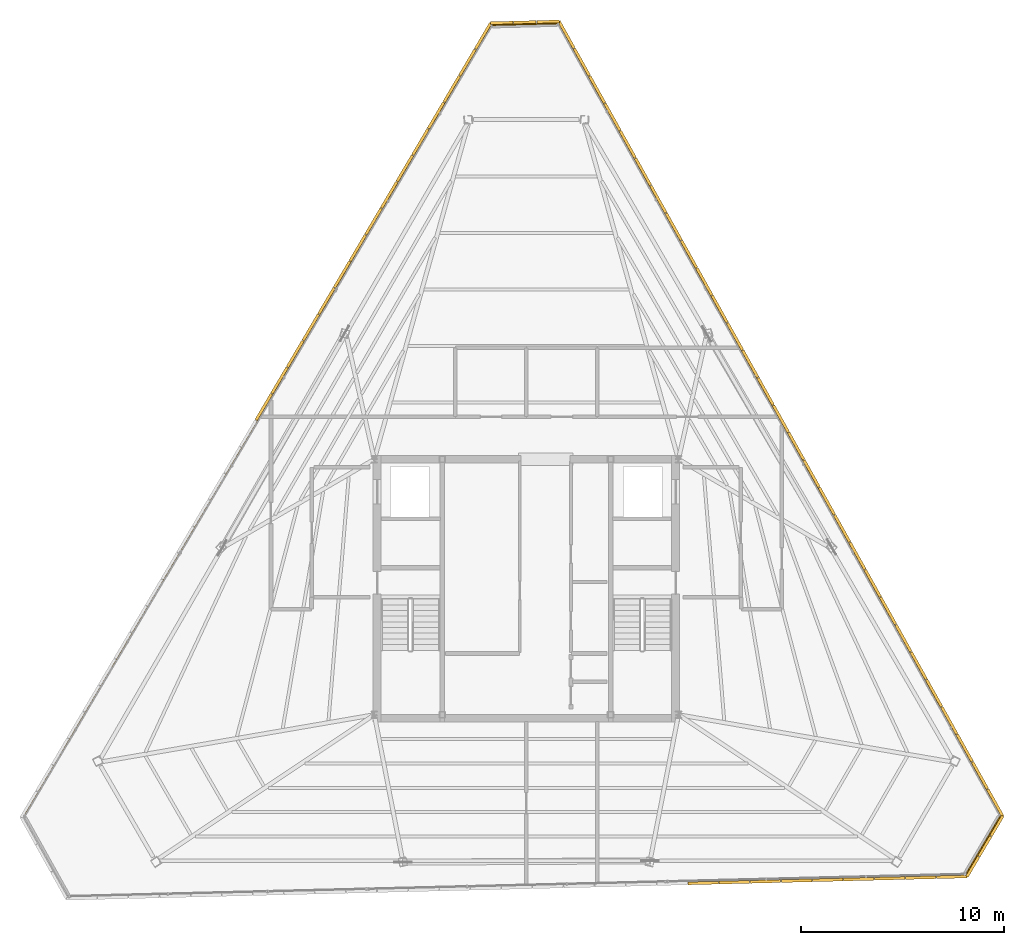
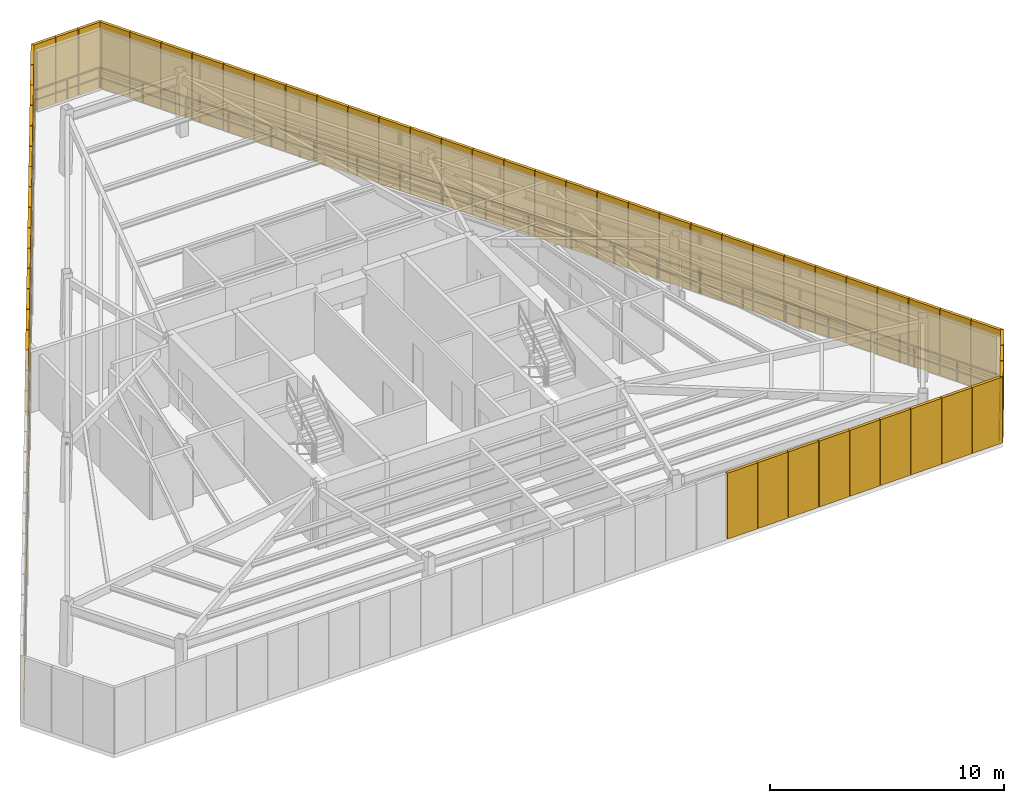
# One storey, part 44 of 44: 59 shading devices, 4 railings.
"""IFC4 building model written with IfcOpenShell, lengths in metres."""

from ifc_helpers import new_model, si_unit, direction, frame, origin, origin_2d, place, context, subcontext, project, spatial, rectangle, extrude, source, transform, mapped, material, layer, layer_set, type_object, type_shapes, element, save


model = new_model("IFC4")

# Units and contexts
model_context = context("Model", 3, precision=1e-05, world=origin(), true_north=direction((0.0, 1.0)))
body_context = subcontext(model_context, "Body", "Model", "MODEL_VIEW")
ifc_project = project(units=[si_unit("LENGTHUNIT", "METRE"), si_unit("AREAUNIT", "SQUARE_METRE"), si_unit("VOLUMEUNIT", "CUBIC_METRE"), si_unit("PLANEANGLEUNIT", "RADIAN"), si_unit("MASSUNIT", "GRAM", prefix="KILO")], contexts=[model_context])

# Site, building, storey
site_placement = place(None, origin())
site = spatial("IfcSite", under=ifc_project, at=site_placement, CompositionType="ELEMENT")
building_placement = place(site_placement, origin())
building = spatial("IfcBuilding", under=site, at=building_placement, Name="Caelisora Broadcast Tower", CompositionType="ELEMENT")
storey_placement = place(building_placement, frame((0.0, 0.0, 296.60009765625)))
storey = spatial("IfcBuildingStorey", under=building, at=storey_placement, Name="L78", CompositionType="ELEMENT", Elevation=296.60009765625)

# Railings
ifc_material_1 = material(Name="Galvanised Steel Safety Guardrail", Category="steel")
ifc_layer_1 = layer(ifc_material_1, 0.048095703125, Name="Galvanised Steel Safety Guardrail")
ifc_layer_set_1 = layer_set([ifc_layer_1], Name="Galvanised Steel Safety Guardrail")
railing_type = type_object("IfcRailingType", Name="GR-1", PredefinedType="GUARDRAIL", material=ifc_layer_set_1)
railing_1_placement = place(storey_placement, frame((39.554931640625, 51.49609375, 0.0)))
element("IfcRailing", 1, at=railing_1_placement, inside=storey, type_object=railing_type, Name="L78 balustrade GR-1 #01", PredefinedType="GUARDRAIL", context=body_context, shape_type="SweptSolid", body=[
    extrude(rectangle(XDim=0.048095703125, YDim=0.048095703125, at=origin_2d()), frame((0.0, 0.0, 1.076171875), z_axis=(0.487388686639, -0.873185128215, 0.0), x_axis=(0.873185128215, 0.487388686639, 0.0)), (0.0, 0.0, 1.0), 44.775390625),
    extrude(rectangle(XDim=0.03125, YDim=0.03125, at=origin_2d()), frame((0.0, 0.0, 0.550048828125), z_axis=(0.487388686639, -0.873185128215, 0.0), x_axis=(0.873185128215, 0.487388686639, 0.0)), (0.0, 0.0, 1.0), 44.775390625),
    extrude(rectangle(XDim=0.0419921875, YDim=0.0419921875, at=origin_2d()), origin(), (0.0, 0.0, 1.0), 1.052001953125),
    extrude(rectangle(XDim=0.0419921875, YDim=0.0419921875, at=origin_2d()), frame((1.039306640625, -1.86181640625, 0.0)), (0.0, 0.0, 1.0), 1.052001953125),
    extrude(rectangle(XDim=0.0419921875, YDim=0.0419921875, at=origin_2d()), frame((2.078369140625, -3.7236328125, 0.0)), (0.0, 0.0, 1.0), 1.052001953125),
    extrude(rectangle(XDim=0.0419921875, YDim=0.0419921875, at=origin_2d()), frame((3.11767578125, -5.585205078125, 0.0)), (0.0, 0.0, 1.0), 1.052001953125),
    extrude(rectangle(XDim=0.0419921875, YDim=0.0419921875, at=origin_2d()), frame((4.15673828125, -7.447021484375, 0.0)), (0.0, 0.0, 1.0), 1.052001953125),
    extrude(rectangle(XDim=0.0419921875, YDim=0.0419921875, at=origin_2d()), frame((5.196044921875, -9.308837890625, 0.0)), (0.0, 0.0, 1.0), 1.052001953125),
    extrude(rectangle(XDim=0.0419921875, YDim=0.0419921875, at=origin_2d()), frame((6.235107421875, -11.170654296875, 0.0)), (0.0, 0.0, 1.0), 1.052001953125),
    extrude(rectangle(XDim=0.0419921875, YDim=0.0419921875, at=origin_2d()), frame((7.2744140625, -13.032470703125, 0.0)), (0.0, 0.0, 1.0), 1.052001953125),
    extrude(rectangle(XDim=0.0419921875, YDim=0.0419921875, at=origin_2d()), frame((8.3134765625, -14.89404296875, 0.0)), (0.0, 0.0, 1.0), 1.052001953125),
    extrude(rectangle(XDim=0.0419921875, YDim=0.0419921875, at=origin_2d()), frame((9.352783203125, -16.755859375, 0.0)), (0.0, 0.0, 1.0), 1.052001953125),
    extrude(rectangle(XDim=0.0419921875, YDim=0.0419921875, at=origin_2d()), frame((10.391845703125, -18.61767578125, 0.0)), (0.0, 0.0, 1.0), 1.052001953125),
    extrude(rectangle(XDim=0.0419921875, YDim=0.0419921875, at=origin_2d()), frame((11.43115234375, -20.4794921875, 0.0)), (0.0, 0.0, 1.0), 1.052001953125),
    extrude(rectangle(XDim=0.0419921875, YDim=0.0419921875, at=origin_2d()), frame((12.47021484375, -22.34130859375, 0.0)), (0.0, 0.0, 1.0), 1.052001953125),
    extrude(rectangle(XDim=0.0419921875, YDim=0.0419921875, at=origin_2d()), frame((13.509521484375, -24.203125, 0.0)), (0.0, 0.0, 1.0), 1.052001953125),
    extrude(rectangle(XDim=0.0419921875, YDim=0.0419921875, at=origin_2d()), frame((14.548583984375, -26.064697265625, 0.0)), (0.0, 0.0, 1.0), 1.052001953125),
    extrude(rectangle(XDim=0.0419921875, YDim=0.0419921875, at=origin_2d()), frame((15.587890625, -27.926513671875, 0.0)), (0.0, 0.0, 1.0), 1.052001953125),
    extrude(rectangle(XDim=0.0419921875, YDim=0.0419921875, at=origin_2d()), frame((16.626953125, -29.788330078125, 0.0)), (0.0, 0.0, 1.0), 1.052001953125),
    extrude(rectangle(XDim=0.0419921875, YDim=0.0419921875, at=origin_2d()), frame((17.666259765625, -31.650146484375, 0.0)), (0.0, 0.0, 1.0), 1.052001953125),
    extrude(rectangle(XDim=0.0419921875, YDim=0.0419921875, at=origin_2d()), frame((18.705322265625, -33.511962890625, 0.0)), (0.0, 0.0, 1.0), 1.052001953125),
    extrude(rectangle(XDim=0.0419921875, YDim=0.0419921875, at=origin_2d()), frame((19.74462890625, -35.37353515625, 0.0)), (0.0, 0.0, 1.0), 1.052001953125),
    extrude(rectangle(XDim=0.0419921875, YDim=0.0419921875, at=origin_2d()), frame((20.78369140625, -37.2353515625, 0.0)), (0.0, 0.0, 1.0), 1.052001953125),
    extrude(rectangle(XDim=0.0419921875, YDim=0.0419921875, at=origin_2d()), frame((21.822998046875, -39.09716796875, 0.0)), (0.0, 0.0, 1.0), 1.052001953125),
])
railing_2_placement = place(storey_placement, frame((61.3779296875, 12.39892578125, 0.0)))
element("IfcRailing", 2, at=railing_2_placement, inside=storey, type_object=railing_type, Name="L78 balustrade GR-1 #02", PredefinedType="GUARDRAIL", context=body_context, shape_type="SweptSolid", body=[
    extrude(rectangle(XDim=0.048095703125, YDim=0.048095703125, at=origin_2d()), frame((0.0, 0.0, 1.076171875), z_axis=(-0.508980055144, -0.860778312613, 0.0), x_axis=(0.860778312613, -0.508980055144, 0.0)), (0.0, 0.0, 1.0), 3.345703125),
    extrude(rectangle(XDim=0.03125, YDim=0.03125, at=origin_2d()), frame((0.0, 0.0, 0.550048828125), z_axis=(-0.508980055144, -0.860778312613, 0.0), x_axis=(0.860778312613, -0.508980055144, 0.0)), (0.0, 0.0, 1.0), 3.345703125),
    extrude(rectangle(XDim=0.0419921875, YDim=0.0419921875, at=origin_2d()), origin(), (0.0, 0.0, 1.0), 1.052001953125),
    extrude(rectangle(XDim=0.0419921875, YDim=0.0419921875, at=origin_2d()), frame((-0.8515625, -1.43994140625, 0.0)), (0.0, 0.0, 1.0), 1.052001953125),
    extrude(rectangle(XDim=0.0419921875, YDim=0.0419921875, at=origin_2d()), frame((-1.702880859375, -2.8798828125, 0.0)), (0.0, 0.0, 1.0), 1.052001953125),
])
railing_3_placement = place(storey_placement, frame((13.202880859375, 12.340087890625, 0.0)))
element("IfcRailing", 3, at=railing_3_placement, inside=storey, type_object=railing_type, Name="L78 balustrade GR-1 #05", PredefinedType="GUARDRAIL", context=body_context, shape_type="SweptSolid", body=[
    extrude(rectangle(XDim=0.048095703125, YDim=0.048095703125, at=origin_2d()), frame((0.0, 0.0, 1.076171875), z_axis=(0.508818647646, 0.86087373279, 0.0), x_axis=(-0.86087373279, 0.508818647646, 0.0)), (0.0, 0.0, 1.0), 45.389892578125),
    extrude(rectangle(XDim=0.03125, YDim=0.03125, at=origin_2d()), frame((0.0, 0.0, 0.550048828125), z_axis=(0.508818647646, 0.86087373279, 0.0), x_axis=(-0.86087373279, 0.508818647646, 0.0)), (0.0, 0.0, 1.0), 45.389892578125),
    extrude(rectangle(XDim=0.0419921875, YDim=0.0419921875, at=origin_2d()), origin(), (0.0, 0.0, 1.0), 1.052001953125),
    extrude(rectangle(XDim=0.0419921875, YDim=0.0419921875, at=origin_2d()), frame((1.099853515625, 1.860595703125, 0.0)), (0.0, 0.0, 1.0), 1.052001953125),
    extrude(rectangle(XDim=0.0419921875, YDim=0.0419921875, at=origin_2d()), frame((2.199462890625, 3.721435546875, 0.0)), (0.0, 0.0, 1.0), 1.052001953125),
    extrude(rectangle(XDim=0.0419921875, YDim=0.0419921875, at=origin_2d()), frame((3.29931640625, 5.58203125, 0.0)), (0.0, 0.0, 1.0), 1.052001953125),
    extrude(rectangle(XDim=0.0419921875, YDim=0.0419921875, at=origin_2d()), frame((4.399169921875, 7.44287109375, 0.0)), (0.0, 0.0, 1.0), 1.052001953125),
    extrude(rectangle(XDim=0.0419921875, YDim=0.0419921875, at=origin_2d()), frame((5.498779296875, 9.303466796875, 0.0)), (0.0, 0.0, 1.0), 1.052001953125),
    extrude(rectangle(XDim=0.0419921875, YDim=0.0419921875, at=origin_2d()), frame((6.5986328125, 11.164306640625, 0.0)), (0.0, 0.0, 1.0), 1.052001953125),
    extrude(rectangle(XDim=0.0419921875, YDim=0.0419921875, at=origin_2d()), frame((7.698486328125, 13.02490234375, 0.0)), (0.0, 0.0, 1.0), 1.052001953125),
    extrude(rectangle(XDim=0.0419921875, YDim=0.0419921875, at=origin_2d()), frame((8.798095703125, 14.8857421875, 0.0)), (0.0, 0.0, 1.0), 1.052001953125),
    extrude(rectangle(XDim=0.0419921875, YDim=0.0419921875, at=origin_2d()), frame((9.89794921875, 16.746337890625, 0.0)), (0.0, 0.0, 1.0), 1.052001953125),
    extrude(rectangle(XDim=0.0419921875, YDim=0.0419921875, at=origin_2d()), frame((10.997802734375, 18.607177734375, 0.0)), (0.0, 0.0, 1.0), 1.052001953125),
    extrude(rectangle(XDim=0.0419921875, YDim=0.0419921875, at=origin_2d()), frame((12.097412109375, 20.4677734375, 0.0)), (0.0, 0.0, 1.0), 1.052001953125),
    extrude(rectangle(XDim=0.0419921875, YDim=0.0419921875, at=origin_2d()), frame((13.197265625, 22.32861328125, 0.0)), (0.0, 0.0, 1.0), 1.052001953125),
    extrude(rectangle(XDim=0.0419921875, YDim=0.0419921875, at=origin_2d()), frame((14.297119140625, 24.189208984375, 0.0)), (0.0, 0.0, 1.0), 1.052001953125),
    extrude(rectangle(XDim=0.0419921875, YDim=0.0419921875, at=origin_2d()), frame((15.396728515625, 26.050048828125, 0.0)), (0.0, 0.0, 1.0), 1.052001953125),
    extrude(rectangle(XDim=0.0419921875, YDim=0.0419921875, at=origin_2d()), frame((16.49658203125, 27.91064453125, 0.0)), (0.0, 0.0, 1.0), 1.052001953125),
    extrude(rectangle(XDim=0.0419921875, YDim=0.0419921875, at=origin_2d()), frame((17.596435546875, 29.771484375, 0.0)), (0.0, 0.0, 1.0), 1.052001953125),
    extrude(rectangle(XDim=0.0419921875, YDim=0.0419921875, at=origin_2d()), frame((18.696044921875, 31.632080078125, 0.0)), (0.0, 0.0, 1.0), 1.052001953125),
    extrude(rectangle(XDim=0.0419921875, YDim=0.0419921875, at=origin_2d()), frame((19.7958984375, 33.492919921875, 0.0)), (0.0, 0.0, 1.0), 1.052001953125),
    extrude(rectangle(XDim=0.0419921875, YDim=0.0419921875, at=origin_2d()), frame((20.895751953125, 35.353515625, 0.0)), (0.0, 0.0, 1.0), 1.052001953125),
    extrude(rectangle(XDim=0.0419921875, YDim=0.0419921875, at=origin_2d()), frame((21.995361328125, 37.21435546875, 0.0)), (0.0, 0.0, 1.0), 1.052001953125),
    extrude(rectangle(XDim=0.0419921875, YDim=0.0419921875, at=origin_2d()), frame((23.09521484375, 39.074951171875, 0.0)), (0.0, 0.0, 1.0), 1.052001953125),
])
railing_4_placement = place(storey_placement, frame((36.298095703125, 51.4150390625, 0.0)))
element("IfcRailing", 4, at=railing_4_placement, inside=storey, type_object=railing_type, Name="L78 balustrade GR-1 #06", PredefinedType="GUARDRAIL", context=body_context, shape_type="SweptSolid", body=[
    extrude(rectangle(XDim=0.048095703125, YDim=0.048095703125, at=origin_2d()), frame((0.0, 0.0, 1.076171875), z_axis=(0.999690448565, 0.024879852243, 0.0), x_axis=(-0.024879852243, 0.999690448565, 0.0)), (0.0, 0.0, 1.0), 3.2578125),
    extrude(rectangle(XDim=0.03125, YDim=0.03125, at=origin_2d()), frame((0.0, 0.0, 0.550048828125), z_axis=(0.999690448565, 0.024879852243, 0.0), x_axis=(-0.024879852243, 0.999690448565, 0.0)), (0.0, 0.0, 1.0), 3.2578125),
    extrude(rectangle(XDim=0.0419921875, YDim=0.0419921875, at=origin_2d()), origin(), (0.0, 0.0, 1.0), 1.052001953125),
    extrude(rectangle(XDim=0.0419921875, YDim=0.0419921875, at=origin_2d()), frame((1.62841796875, 0.04052734375, 0.0)), (0.0, 0.0, 1.0), 1.052001953125),
    extrude(rectangle(XDim=0.0419921875, YDim=0.0419921875, at=origin_2d()), frame((3.2568359375, 0.0810546875, 0.0)), (0.0, 0.0, 1.0), 1.052001953125),
])

# Shading devices
ifc_material_2 = material(Name="Anodised Terracotta Aluminium Acoustic Louvre", Category="aluminium")
ifc_layer_2 = layer(ifc_material_2, 0.139892578125, Name="Anodised Terracotta Aluminium Acoustic Louvre")
ifc_layer_set_2 = layer_set([ifc_layer_2], Name="Anodised Terracotta Aluminium Acoustic Louvre")
shading_device_type = type_object("IfcShadingDeviceType", Name="LV-1", PredefinedType="JALOUSIE", material=ifc_layer_set_2)
shared_shape_1 = source(origin(), body_context, "Body", "SweptSolid", [
    extrude(rectangle(XDim=1.110107421875, YDim=0.139892578125, at=origin_2d()), origin(), (0.0, 0.0, 1.0), 3.43994140625),
])
for number, where, z_axis, x_axis, name in (
    (5, (39.067138671875, 51.583740234375, -0.02001953125), (0.0, 0.0, 1.0), (-0.999692900437, -0.024781138308, 0.0), "L78 crown acoustic louvre #001"),
    (6, (37.927490234375, 51.555419921875, -0.02001953125), (0.0, 0.0, 1.0), (-0.999692900437, -0.024781138308, 0.0), "L78 crown acoustic louvre #002"),
    (7, (36.787841796875, 51.527099609375, -0.02001953125), (0.0, 0.0, 1.0), (-0.999692900437, -0.024781138308, 0.0), "L78 crown acoustic louvre #003"),
):
    element("IfcShadingDevice", number, at=place(storey_placement, frame(where, z_axis=z_axis, x_axis=x_axis)), inside=storey, type_object=shading_device_type, Name=name, PredefinedType="JALOUSIE", context=body_context, shape_type="MappedRepresentation", body=[
        mapped(shared_shape_1, transform((0.0, 0.0, 0.0), scale=1.0)),
    ])
shared_shape_2 = source(origin(), body_context, "Body", "SweptSolid", [
    extrude(rectangle(XDim=1.48828125, YDim=0.139892578125, at=origin_2d()), origin(), (0.0, 0.0, 1.0), 3.43994140625),
])
for number, where, z_axis, x_axis, name in (
    (8, (35.865234375, 50.879150390625, -0.02001953125), (0.0, 0.0, 1.0), (-0.508740929096, -0.860919663536, 0.0), "L78 crown acoustic louvre #004"),
    (9, (35.0927734375, 49.572021484375, -0.02001953125), (0.0, 0.0, 1.0), (-0.508740929096, -0.860919663536, 0.0), "L78 crown acoustic louvre #005"),
    (10, (34.3203125, 48.26513671875, -0.02001953125), (0.0, 0.0, 1.0), (-0.508740929096, -0.860919663536, 0.0), "L78 crown acoustic louvre #006"),
    (11, (33.547607421875, 46.9580078125, -0.02001953125), (0.0, 0.0, 1.0), (-0.508740929096, -0.860919663536, 0.0), "L78 crown acoustic louvre #007"),
    (12, (32.775146484375, 45.65087890625, -0.02001953125), (0.0, 0.0, 1.0), (-0.508740929096, -0.860919663536, 0.0), "L78 crown acoustic louvre #008"),
    (13, (32.002685546875, 44.343994140625, -0.02001953125), (0.0, 0.0, 1.0), (-0.508740929096, -0.860919663536, 0.0), "L78 crown acoustic louvre #009"),
    (14, (31.230224609375, 43.036865234375, -0.02001953125), (0.0, 0.0, 1.0), (-0.508740929096, -0.860919663536, 0.0), "L78 crown acoustic louvre #010"),
    (15, (30.457763671875, 41.72998046875, -0.02001953125), (0.0, 0.0, 1.0), (-0.508740929096, -0.860919663536, 0.0), "L78 crown acoustic louvre #011"),
    (16, (29.685302734375, 40.4228515625, -0.02001953125), (0.0, 0.0, 1.0), (-0.508740929096, -0.860919663536, 0.0), "L78 crown acoustic louvre #012"),
    (17, (28.91259765625, 39.11572265625, -0.02001953125), (0.0, 0.0, 1.0), (-0.508740929096, -0.860919663536, 0.0), "L78 crown acoustic louvre #013"),
    (18, (28.14013671875, 37.808837890625, -0.02001953125), (0.0, 0.0, 1.0), (-0.508740929096, -0.860919663536, 0.0), "L78 crown acoustic louvre #014"),
    (19, (27.36767578125, 36.501708984375, -0.02001953125), (0.0, 0.0, 1.0), (-0.508740929096, -0.860919663536, 0.0), "L78 crown acoustic louvre #015"),
    (20, (26.59521484375, 35.194580078125, -0.02001953125), (0.0, 0.0, 1.0), (-0.508740929096, -0.860919663536, 0.0), "L78 crown acoustic louvre #016"),
    (21, (25.82275390625, 33.8876953125, -0.02001953125), (0.0, 0.0, 1.0), (-0.508740929096, -0.860919663536, 0.0), "L78 crown acoustic louvre #017"),
    (22, (25.05029296875, 32.580810546875, -0.02001953125), (0.0, 0.0, 1.0), (-0.508740929096, -0.860919663536, 0.0), "L78 crown acoustic louvre #018"),
):
    element("IfcShadingDevice", number, at=place(storey_placement, frame(where, z_axis=z_axis, x_axis=x_axis)), inside=storey, type_object=shading_device_type, Name=name, PredefinedType="JALOUSIE", context=body_context, shape_type="MappedRepresentation", body=[
        mapped(shared_shape_2, transform((0.0, 0.0, 0.0), scale=1.0)),
    ])
shared_shape_3 = source(origin(), body_context, "Body", "SweptSolid", [
    extrude(rectangle(XDim=1.519775390625, YDim=0.139892578125, at=origin_2d()), origin(), (0.0, 0.0, 1.0), 3.43994140625),
])
for number, where, z_axis, x_axis, name in (
    (23, (61.12646484375, 13.05419921875, -0.02001953125), (0.0, 0.0, 1.0), (-0.487402531354, 0.87317740032, 0.0), "L78 crown acoustic louvre #069"),
    (24, (60.37109375, 14.4072265625, -0.02001953125), (0.0, 0.0, 1.0), (-0.487402531354, 0.87317740032, 0.0), "L78 crown acoustic louvre #070"),
    (25, (59.615966796875, 15.76025390625, -0.02001953125), (0.0, 0.0, 1.0), (-0.487402531354, 0.87317740032, 0.0), "L78 crown acoustic louvre #071"),
    (26, (58.860595703125, 17.113525390625, -0.02001953125), (0.0, 0.0, 1.0), (-0.487402531354, 0.87317740032, 0.0), "L78 crown acoustic louvre #072"),
    (27, (58.105224609375, 18.466552734375, -0.02001953125), (0.0, 0.0, 1.0), (-0.487402531354, 0.87317740032, 0.0), "L78 crown acoustic louvre #073"),
    (28, (57.35009765625, 19.81982421875, -0.02001953125), (0.0, 0.0, 1.0), (-0.487402531354, 0.87317740032, 0.0), "L78 crown acoustic louvre #074"),
    (29, (56.5947265625, 21.1728515625, -0.02001953125), (0.0, 0.0, 1.0), (-0.487402531354, 0.87317740032, 0.0), "L78 crown acoustic louvre #075"),
    (30, (55.839599609375, 22.52587890625, -0.02001953125), (0.0, 0.0, 1.0), (-0.487402531354, 0.87317740032, 0.0), "L78 crown acoustic louvre #076"),
    (31, (55.084228515625, 23.879150390625, -0.02001953125), (0.0, 0.0, 1.0), (-0.487402531354, 0.87317740032, 0.0), "L78 crown acoustic louvre #077"),
    (32, (54.3291015625, 25.232421875, -0.02001953125), (0.0, 0.0, 1.0), (-0.487402531354, 0.87317740032, 0.0), "L78 crown acoustic louvre #078"),
    (33, (53.57373046875, 26.58544921875, -0.02001953125), (0.0, 0.0, 1.0), (-0.487402531354, 0.87317740032, 0.0), "L78 crown acoustic louvre #079"),
    (34, (52.818359375, 27.938720703125, -0.02001953125), (0.0, 0.0, 1.0), (-0.487402531354, 0.87317740032, 0.0), "L78 crown acoustic louvre #080"),
    (35, (52.06298828125, 29.291748046875, -0.02001953125), (0.0, 0.0, 1.0), (-0.487402531354, 0.87317740032, 0.0), "L78 crown acoustic louvre #081"),
    (36, (51.307861328125, 30.64501953125, -0.02001953125), (0.0, 0.0, 1.0), (-0.487402531354, 0.87317740032, 0.0), "L78 crown acoustic louvre #082"),
    (37, (50.552490234375, 31.998046875, -0.02001953125), (0.0, 0.0, 1.0), (-0.487402531354, 0.87317740032, 0.0), "L78 crown acoustic louvre #083"),
    (38, (49.79736328125, 33.35107421875, -0.02001953125), (0.0, 0.0, 1.0), (-0.487402531354, 0.87317740032, 0.0), "L78 crown acoustic louvre #084"),
    (39, (49.0419921875, 34.704345703125, -0.02001953125), (0.0, 0.0, 1.0), (-0.487402531354, 0.87317740032, 0.0), "L78 crown acoustic louvre #085"),
    (40, (48.28662109375, 36.057373046875, -0.02001953125), (0.0, 0.0, 1.0), (-0.487402531354, 0.87317740032, 0.0), "L78 crown acoustic louvre #086"),
    (41, (47.531494140625, 37.41064453125, -0.02001953125), (0.0, 0.0, 1.0), (-0.487402531354, 0.87317740032, 0.0), "L78 crown acoustic louvre #087"),
    (42, (46.776123046875, 38.763671875, -0.02001953125), (0.0, 0.0, 1.0), (-0.487402531354, 0.87317740032, 0.0), "L78 crown acoustic louvre #088"),
    (43, (46.02099609375, 40.11669921875, -0.02001953125), (0.0, 0.0, 1.0), (-0.487402531354, 0.87317740032, 0.0), "L78 crown acoustic louvre #089"),
    (44, (45.265625, 41.469970703125, -0.02001953125), (0.0, 0.0, 1.0), (-0.487402531354, 0.87317740032, 0.0), "L78 crown acoustic louvre #090"),
    (45, (44.510498046875, 42.822998046875, -0.02001953125), (0.0, 0.0, 1.0), (-0.487402531354, 0.87317740032, 0.0), "L78 crown acoustic louvre #091"),
    (46, (43.755126953125, 44.17626953125, -0.02001953125), (0.0, 0.0, 1.0), (-0.487402531354, 0.87317740032, 0.0), "L78 crown acoustic louvre #092"),
    (47, (42.999755859375, 45.529296875, -0.02001953125), (0.0, 0.0, 1.0), (-0.487402531354, 0.87317740032, 0.0), "L78 crown acoustic louvre #093"),
    (48, (42.244384765625, 46.882568359375, -0.02001953125), (0.0, 0.0, 1.0), (-0.487402531354, 0.87317740032, 0.0), "L78 crown acoustic louvre #094"),
    (49, (41.4892578125, 48.235595703125, -0.02001953125), (0.0, 0.0, 1.0), (-0.487402531354, 0.87317740032, 0.0), "L78 crown acoustic louvre #095"),
    (50, (40.73388671875, 49.5888671875, -0.02001953125), (0.0, 0.0, 1.0), (-0.487402531354, 0.87317740032, 0.0), "L78 crown acoustic louvre #096"),
    (51, (39.978759765625, 50.94189453125, -0.02001953125), (0.0, 0.0, 1.0), (-0.487402531354, 0.87317740032, 0.0), "L78 crown acoustic louvre #097"),
):
    element("IfcShadingDevice", number, at=place(storey_placement, frame(where, z_axis=z_axis, x_axis=x_axis)), inside=storey, type_object=shading_device_type, Name=name, PredefinedType="JALOUSIE", context=body_context, shape_type="MappedRepresentation", body=[
        mapped(shared_shape_3, transform((0.0, 0.0, 0.0), scale=1.0)),
    ])
shared_shape_4 = source(origin(), body_context, "Body", "SweptSolid", [
    extrude(rectangle(XDim=1.503173828125, YDim=0.139892578125, at=origin_2d()), origin(), (0.0, 0.0, 1.0), 3.43994140625),
])
for number, where, z_axis, x_axis, name in (
    (52, (46.726806640625, 9.098876953125, -0.02001953125), (0.0, 0.0, 1.0), (0.999692900437, 0.024781138308, 0.0), "L78 crown acoustic louvre #057"),
    (53, (48.259521484375, 9.13671875, -0.02001953125), (0.0, 0.0, 1.0), (0.999692900437, 0.024781138308, 0.0), "L78 crown acoustic louvre #058"),
    (54, (49.792236328125, 9.1748046875, -0.02001953125), (0.0, 0.0, 1.0), (0.999692900437, 0.024781138308, 0.0), "L78 crown acoustic louvre #059"),
    (55, (51.324951171875, 9.212646484375, -0.02001953125), (0.0, 0.0, 1.0), (0.999692900437, 0.024781138308, 0.0), "L78 crown acoustic louvre #060"),
    (56, (52.85791015625, 9.25048828125, -0.02001953125), (0.0, 0.0, 1.0), (0.999692900437, 0.024781138308, 0.0), "L78 crown acoustic louvre #061"),
    (57, (54.390380859375, 9.288330078125, -0.02001953125), (0.0, 0.0, 1.0), (0.999692900437, 0.024781138308, 0.0), "L78 crown acoustic louvre #062"),
    (58, (55.923095703125, 9.326171875, -0.02001953125), (0.0, 0.0, 1.0), (0.999692900437, 0.024781138308, 0.0), "L78 crown acoustic louvre #063"),
    (59, (57.455810546875, 9.364013671875, -0.02001953125), (0.0, 0.0, 1.0), (0.999692900437, 0.024781138308, 0.0), "L78 crown acoustic louvre #064"),
    (60, (58.988525390625, 9.402099609375, -0.02001953125), (0.0, 0.0, 1.0), (0.999692900437, 0.024781138308, 0.0), "L78 crown acoustic louvre #065"),
):
    element("IfcShadingDevice", number, at=place(storey_placement, frame(where, z_axis=z_axis, x_axis=x_axis)), inside=storey, type_object=shading_device_type, Name=name, PredefinedType="JALOUSIE", context=body_context, shape_type="MappedRepresentation", body=[
        mapped(shared_shape_4, transform((0.0, 0.0, 0.0), scale=1.0)),
    ])
shared_shape_5 = source(origin(), body_context, "Body", "SweptSolid", [
    extrude(rectangle(XDim=1.137939453125, YDim=0.139892578125, at=origin_2d()), origin(), (0.0, 0.0, 1.0), 3.43994140625),
])
type_shapes(shading_device_type, [shared_shape_1, shared_shape_2, shared_shape_3, shared_shape_4, shared_shape_5])
for number, where, z_axis, x_axis, name in (
    (61, (60.018798828125, 9.904052734375, -0.02001953125), (0.0, 0.0, 1.0), (0.508891180174, 0.860830858381, 0.0), "L78 crown acoustic louvre #066"),
    (62, (60.613037109375, 10.909423828125, -0.02001953125), (0.0, 0.0, 1.0), (0.508891180174, 0.860830858381, 0.0), "L78 crown acoustic louvre #067"),
    (63, (61.20751953125, 11.914794921875, -0.02001953125), (0.0, 0.0, 1.0), (0.508891180174, 0.860830858381, 0.0), "L78 crown acoustic louvre #068"),
):
    element("IfcShadingDevice", number, at=place(storey_placement, frame(where, z_axis=z_axis, x_axis=x_axis)), inside=storey, type_object=shading_device_type, Name=name, PredefinedType="JALOUSIE", context=body_context, shape_type="MappedRepresentation", body=[
        mapped(shared_shape_5, transform((0.0, 0.0, 0.0), scale=1.0)),
    ])

save(model, "model.ifc")
